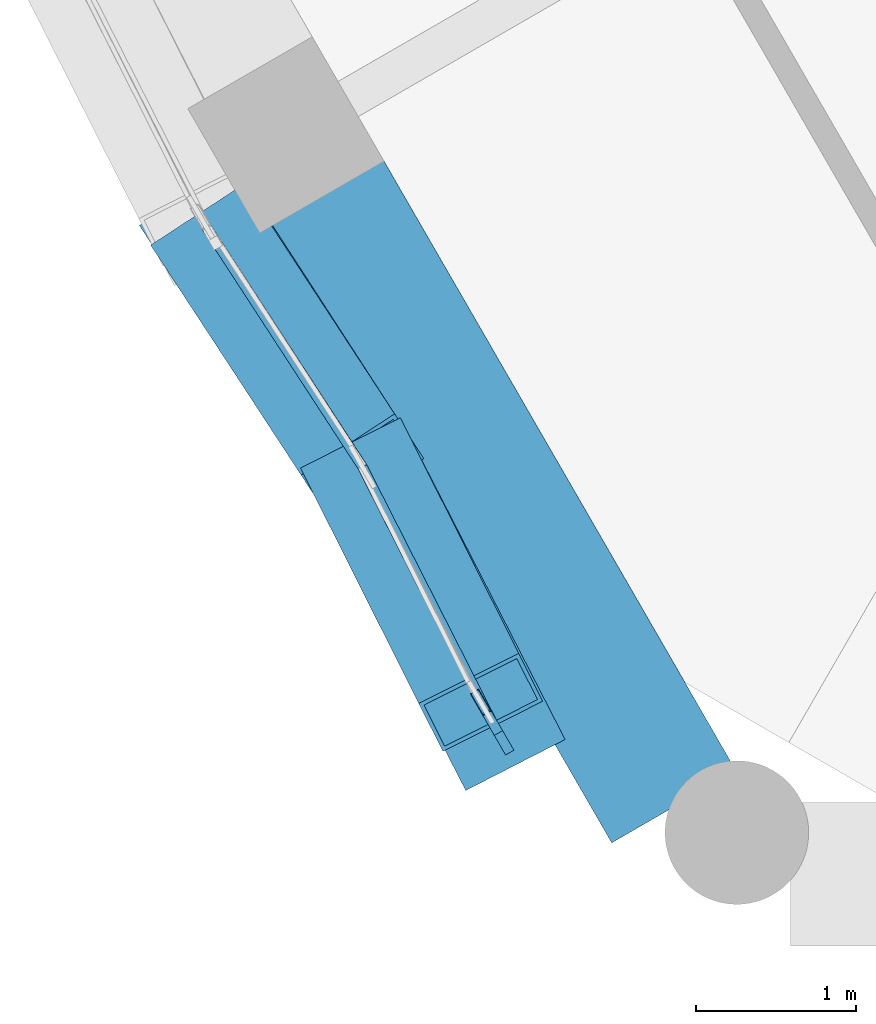
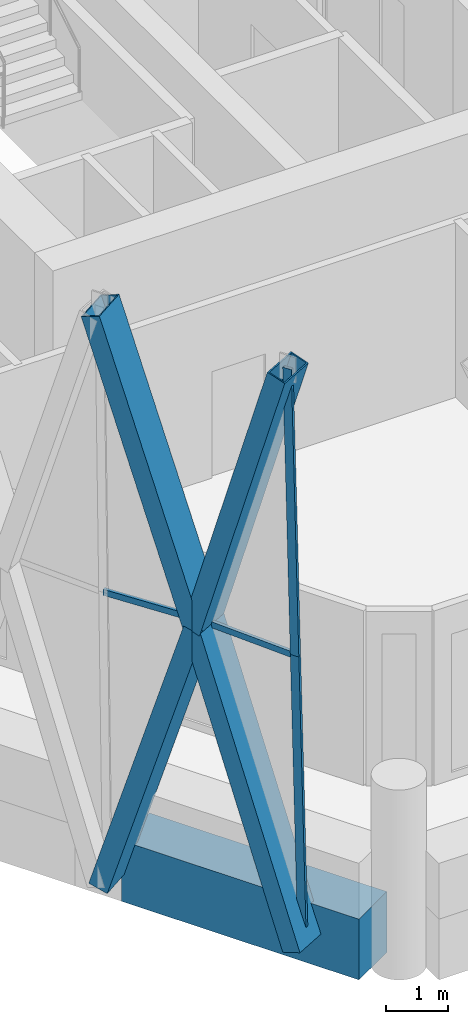
# One storey, part 2 of 21: 8 members, 1 beam, 2 elements without a shape of their own.
"""IFC4 building model written with IfcOpenShell, lengths in metres."""

import ifcopenshell
import ifcopenshell.guid

model = None  # the IFC model being written
_history = None  # IfcOwnerHistory: only IFC2X3 demands one
_inside = {}  # id of a spatial element -> (the spatial element, [elements in it])
_under = {}  # id of a project, library or spatial element -> (it, [spatial elements below it])
_declared = {}  # id of a project -> (the project, [libraries it declares])
_typed = {}  # id of a type object -> (the type object, [elements of that type])
_made_of = {}  # id of a material, layer set ... -> (it, [elements and type objects made of it])


def new_model(schema):
    """Start an empty IFC model of exactly this schema.

    Asked for "IFC4X3", IfcOpenShell would pick the latest addendum, in which some entities
    have other attributes; the version numbers below select the first issue.
    IFC2X3 requires an IfcOwnerHistory on every rooted entity: one is made here for all.
    """
    global model, _history
    if schema == "IFC4X3":
        model = ifcopenshell.file(schema_version=(4, 3, 0, 0))
    else:
        model = ifcopenshell.file(schema=schema)
    _inside.clear()
    _under.clear()
    _declared.clear()
    _typed.clear()
    _made_of.clear()
    _history = None
    if model.schema == "IFC2X3":
        org = make("IfcOrganization", Name="unknown")
        user = make(
            "IfcPersonAndOrganization",
            ThePerson=make("IfcPerson", FamilyName="unknown"),
            TheOrganization=org,
        )
        app = make(
            "IfcApplication",
            ApplicationDeveloper=org,
            Version="unknown",
            ApplicationFullName="unknown",
            ApplicationIdentifier="unknown",
        )
        _history = make(
            "IfcOwnerHistory",
            OwningUser=user,
            OwningApplication=app,
            ChangeAction="ADDED",
            CreationDate=0,
        )
    return model


def make(cls, **values):
    """One entity of the class cls with the attributes given. An attribute that is None is left unset."""
    return model.create_entity(
        cls, **{name: value for name, value in values.items() if value is not None}
    )


def rooted(cls, **values):
    """An entity with a GlobalId (a new one), such as an element, a storey or a relation."""
    return make(cls, GlobalId=ifcopenshell.guid.new(), OwnerHistory=_history, **values)


def si_unit(unit_type, name, prefix=None):
    """IfcSIUnit, for example si_unit("LENGTHUNIT", "METRE", prefix="MILLI")."""
    return make("IfcSIUnit", UnitType=unit_type, Prefix=prefix, Name=name)


def assignment(units):
    """IfcUnitAssignment: the units of a project."""
    return None if units is None else make("IfcUnitAssignment", Units=units)


def point(xyz):
    """IfcCartesianPoint."""
    return None if xyz is None else make("IfcCartesianPoint", Coordinates=xyz)


def direction(xyz):
    """IfcDirection."""
    return None if xyz is None else make("IfcDirection", DirectionRatios=xyz)


def frame(location, z_axis=None, x_axis=None):
    """IfcAxis2Placement3D, a coordinate frame: its origin and axes. An axis left out is left unset."""
    return make(
        "IfcAxis2Placement3D",
        Location=point(location),
        Axis=direction(z_axis),
        RefDirection=direction(x_axis),
    )


def frame_2d(location, x_axis=None):
    """IfcAxis2Placement2D, a coordinate frame in the plane: its origin and x axis."""
    return make(
        "IfcAxis2Placement2D", Location=point(location), RefDirection=direction(x_axis)
    )


def origin():
    """The frame at (0, 0, 0) with its axes left unset."""
    return frame((0.0, 0.0, 0.0))


def origin_2d():
    """The frame at (0, 0) in the plane with its x axis left unset."""
    return frame_2d((0.0, 0.0))


def place(relative_to, where):
    """IfcLocalPlacement: puts the frame where relative to a parent placement (None: the world)."""
    return make(
        "IfcLocalPlacement", PlacementRelTo=relative_to, RelativePlacement=where
    )


def context(
    kind, dimensions, precision=None, world=None, true_north=None, identifier=None
):
    """IfcGeometricRepresentationContext, for example the 3D "Model" context."""
    return make(
        "IfcGeometricRepresentationContext",
        ContextIdentifier=identifier,
        ContextType=kind,
        CoordinateSpaceDimension=dimensions,
        Precision=precision,
        WorldCoordinateSystem=world,
        TrueNorth=true_north,
    )


def subcontext(parent, identifier, kind, view, scale=None):
    """IfcGeometricRepresentationSubContext, for example "Body" below "Model"."""
    return make(
        "IfcGeometricRepresentationSubContext",
        ContextIdentifier=identifier,
        ContextType=kind,
        ParentContext=parent,
        TargetScale=scale,
        TargetView=view,
    )


def project(units=None, contexts=None):
    """IfcProject with its units and contexts."""
    return rooted(
        "IfcProject",
        Name="project",
        RepresentationContexts=contexts,
        UnitsInContext=assignment(units),
    )


def spatial(cls, under=None, at=None, **own):
    """A site, building, storey or space (cls), placed at a placement, below another one or the project."""
    s = rooted(cls, ObjectPlacement=at, **own)
    if under is not None:
        _under.setdefault(under.id(), (under, []))[1].append(s)
    return s


def profile(cls, at=None, kind="AREA", **sizes):
    """A parametric profile (cls). Its sizes go by their IFC names, for example OverallWidth=200.0."""
    return make(cls, ProfileType=kind, Position=at, **sizes)


def rectangle(**sizes):
    """IfcRectangleProfileDef."""
    return profile("IfcRectangleProfileDef", **sizes)


def hollow_rectangle(**sizes):
    """IfcRectangleHollowProfileDef."""
    return profile("IfcRectangleHollowProfileDef", **sizes)


def extrude(swept, where, along, depth):
    """IfcExtrudedAreaSolid: the profile swept, set in the frame where, extruded along a direction by depth."""
    return make(
        "IfcExtrudedAreaSolid",
        SweptArea=swept,
        Position=where,
        ExtrudedDirection=direction(along),
        Depth=depth,
    )


def shape(context_of_items, identifier, shape_type, items):
    """IfcShapeRepresentation: the items that make up one representation, for example the "Body"."""
    return make(
        "IfcShapeRepresentation",
        ContextOfItems=context_of_items,
        RepresentationIdentifier=identifier,
        RepresentationType=shape_type,
        Items=items,
    )


def material(Name=None, Category=None):
    """IfcMaterial."""
    return make("IfcMaterial", Name=Name, Category=Category)


def material_profile(
    of_material, cross_section, Name=None, Category=None, Priority=None
):
    """IfcMaterialProfile: a cross section and its material."""
    return make(
        "IfcMaterialProfile",
        Name=Name,
        Material=of_material,
        Profile=cross_section,
        Priority=Priority,
        Category=Category,
    )


def profile_set(profiles, Name=None, composite=None):
    """IfcMaterialProfileSet."""
    return make(
        "IfcMaterialProfileSet",
        Name=Name,
        MaterialProfiles=profiles,
        CompositeProfile=composite,
    )


def made_of(thing, what):
    """Note that an element or type object is made of a material, layer set ...; save() writes the relation."""
    if what is not None:
        _made_of.setdefault(what.id(), (what, []))[1].append(thing)
    return thing


def type_object(cls, material=None, **own):
    """A type object (cls), such as IfcWallType, which elements share."""
    return made_of(rooted(cls, **own), material)


def element(
    cls,
    number,
    at=None,
    inside=None,
    cuts=None,
    type_object=None,
    material=None,
    context=None,
    identifier="Body",
    shape_type=None,
    held_by="IfcProductDefinitionShape",
    body=None,
    shapes=None,
    **own,
):
    """One element of the class cls, such as IfcWall. Its Tag is "e" and its number.

    at: its placement. inside: the storey or other place that contains it. cuts: it is an
    opening in that element (IfcRelVoidsElement). A single representation is given by context,
    identifier, shape_type and body (its items); several are given by shapes. held_by: the class
    of the entity that holds the representations. save() writes the other relations.
    """
    e = rooted(cls, Tag="e%d" % number, ObjectPlacement=at, **own)
    if body is not None:
        shapes = [shape(context, identifier, shape_type, body)]
    if shapes is not None:
        e.Representation = make(held_by, Representations=shapes)
    if inside is not None:
        _inside.setdefault(inside.id(), (inside, []))[1].append(e)
    if cuts is not None:
        rooted(
            "IfcRelVoidsElement", RelatingBuildingElement=cuts, RelatedOpeningElement=e
        )
    if type_object is not None:
        _typed.setdefault(type_object.id(), (type_object, []))[1].append(e)
    return made_of(e, material)


def aggregate(whole, parts):
    """IfcRelAggregates: a whole, such as a stair, and the parts it consists of."""
    return rooted("IfcRelAggregates", RelatingObject=whole, RelatedObjects=parts)


def save(model, path):
    """Write the relations noted so far, then the file.

    IfcRelAggregates (storeys below a building ...), IfcRelContainedInSpatialStructure (elements
    in a storey), IfcRelDefinesByType, IfcRelAssociatesMaterial and IfcRelDeclares: one each for
    every whole, place, type object, material and project.
    """
    for whole, parts in _under.values():
        aggregate(whole, parts)
    for where, things in _inside.values():
        rooted(
            "IfcRelContainedInSpatialStructure",
            RelatedElements=things,
            RelatingStructure=where,
        )
    for kind, things in _typed.values():
        rooted("IfcRelDefinesByType", RelatedObjects=things, RelatingType=kind)
    for what, things in _made_of.values():
        rooted("IfcRelAssociatesMaterial", RelatedObjects=things, RelatingMaterial=what)
    for by, libraries in _declared.values():
        rooted("IfcRelDeclares", RelatingContext=by, RelatedDefinitions=libraries)
    model.write(path)


model = new_model("IFC4")

# Units and contexts
model_context = context("Model", 3, precision=1e-05, world=origin(), true_north=direction((0.0, 1.0)))
body_context = subcontext(model_context, "Body", "Model", "MODEL_VIEW")
ifc_project = project(units=[si_unit("LENGTHUNIT", "METRE"), si_unit("AREAUNIT", "SQUARE_METRE"), si_unit("VOLUMEUNIT", "CUBIC_METRE"), si_unit("PLANEANGLEUNIT", "RADIAN"), si_unit("MASSUNIT", "GRAM", prefix="KILO")], contexts=[model_context])

# Site, building, storey
site_placement = place(None, origin())
site = spatial("IfcSite", under=ifc_project, at=site_placement, CompositionType="ELEMENT")
building_placement = place(site_placement, origin())
building = spatial("IfcBuilding", under=site, at=building_placement, Name="Ostrander Bayou Hotel Tower", CompositionType="ELEMENT")
storey_placement = place(building_placement, frame((0.0, 0.0, 256.25)))
storey = spatial("IfcBuildingStorey", under=building, at=storey_placement, Name="L63", CompositionType="ELEMENT", Elevation=256.25)

# Curtain wall, members
ifc_material_1 = material(Name="Aluminium and clear glass", Category="aluminium")
curtain_wall_type = type_object("IfcCurtainWallType", Name="CW-LAT lattice glazing", PredefinedType="NOTDEFINED", material=ifc_material_1)
curtain_wall_1_placement = place(storey_placement, origin())
curtain_wall_1 = element("IfcCurtainWall", 1, at=curtain_wall_1_placement, inside=storey, type_object=curtain_wall_type, Name="CW-LAT L63 SW 1", PredefinedType="NOTDEFINED")
ifc_material_2 = material(Name="Aluminium", Category="aluminium")
ifc_material_profile_1 = material_profile(ifc_material_2, hollow_rectangle(XDim=0.06005859375, YDim=0.159912109375, WallThickness=0.00390625, at=origin_2d()))
ifc_profile_set_1 = profile_set([ifc_material_profile_1], Name="Aluminium")
member_type_1 = type_object("IfcMemberType", Name="CW-LA mullion 60 x 160 mm", PredefinedType="MULLION", material=ifc_profile_set_1)
member_1_placement = place(storey_placement, frame((-11.56591796875, -15.107421875, -0.60009765625), z_axis=(-0.012582822759, 0.021781300087, 0.999683573706), x_axis=(-0.865898279276, -0.500220121494, 0.0)))
member_1 = element("IfcMember", 2, at=member_1_placement, type_object=member_type_1, Name="CW-LAT mullion 16", PredefinedType="MULLION", context=body_context, shape_type="SweptSolid", body=[
    extrude(hollow_rectangle(XDim=0.06005859375, YDim=0.159912109375, WallThickness=0.00390625, at=origin_2d()), origin(), (0.0, 0.0, 1.0), 5.626708984375),
])
member_2_placement = place(storey_placement, frame((-11.63671875, -14.98486328125, 5.02490234375), z_axis=(-0.012582810856, 0.021824668484, 0.999682627996), x_axis=(-0.866328918095, -0.499473928922, 0.0)))
member_2 = element("IfcMember", 3, at=member_2_placement, type_object=member_type_1, Name="CW-LAT mullion 17", PredefinedType="MULLION", context=body_context, shape_type="SweptSolid", body=[
    extrude(hollow_rectangle(XDim=0.06005859375, YDim=0.159912109375, WallThickness=0.00390625, at=origin_2d()), origin(), (0.0, 0.0, 1.0), 5.626708984375),
])
aggregate(curtain_wall_1, [member_1, member_2])

curtain_wall_2_placement = place(storey_placement, origin())
curtain_wall_2 = element("IfcCurtainWall", 4, at=curtain_wall_2_placement, inside=storey, type_object=curtain_wall_type, Name="CW-LAT L63 SW 2", PredefinedType="NOTDEFINED")
ifc_material_3 = material(Name="Aluminium", Category="aluminium")
ifc_material_profile_2 = material_profile(ifc_material_3, hollow_rectangle(XDim=0.06005859375, YDim=0.1201171875, WallThickness=0.00390625, at=origin_2d()))
ifc_profile_set_2 = profile_set([ifc_material_profile_2], Name="Aluminium")
member_type_2 = type_object("IfcMemberType", Name="CW-LA transom 60 x 120 mm", PredefinedType="USERDEFINED", material=ifc_profile_set_2)
member_3_placement = place(storey_placement, frame((-13.42626953125, -11.885009765625, 5.02490234375), z_axis=(0.545486267621, -0.838119759841, 0.0), x_axis=(0.838119759841, 0.545486267621, 0.0)))
member_3 = element("IfcMember", 5, at=member_3_placement, type_object=member_type_2, Name="CW-LAT transom 15", ObjectType="TRANSOM", PredefinedType="USERDEFINED", context=body_context, shape_type="SweptSolid", body=[
    extrude(hollow_rectangle(XDim=0.06005859375, YDim=0.1201171875, WallThickness=0.00390625, at=origin_2d()), origin(), (0.0, 0.0, 1.0), 1.7919921875),
])
member_4_placement = place(storey_placement, frame((-11.63671875, -14.98486328125, 5.02490234375), z_axis=(-0.453033876418, 0.891493301611, 0.0), x_axis=(-0.891493301611, -0.453033876418, 0.0)))
member_4 = element("IfcMember", 6, at=member_4_placement, type_object=member_type_2, Name="CW-LAT transom 18", ObjectType="TRANSOM", PredefinedType="USERDEFINED", context=body_context, shape_type="SweptSolid", body=[
    extrude(hollow_rectangle(XDim=0.06005859375, YDim=0.1201171875, WallThickness=0.00390625, at=origin_2d()), origin(), (0.0, 0.0, 1.0), 1.79248046875),
])
aggregate(curtain_wall_2, [member_3, member_4])

# Members
ifc_material_4 = material(Name="Steel ASTM A572 Gr 50", Category="steel")
ifc_material_profile_3 = material_profile(ifc_material_4, hollow_rectangle(XDim=0.699951171875, YDim=0.35009765625, WallThickness=0.02490234375, at=origin_2d()))
ifc_profile_set_3 = profile_set([ifc_material_profile_3], Name="Steel ASTM A572 Gr 50")
member_type_3 = type_object("IfcMemberType", Name="LT1 lattice member box 700 x 350 x 25 mm", PredefinedType="BRACE", material=ifc_profile_set_3)
member_5_placement = place(storey_placement, frame((-12.44873046875, -13.386962890625, 5.02490234375), z_axis=(-0.160159604697, 0.244908480776, -0.956226300134), x_axis=(-0.836927136533, -0.547314322976, 0.0)))
element("IfcMember", 7, at=member_5_placement, inside=storey, type_object=member_type_3, Name="LT1 L63 SW 13", PredefinedType="BRACE", context=body_context, shape_type="SweptSolid", body=[
    extrude(hollow_rectangle(XDim=0.699951171875, YDim=0.35009765625, WallThickness=0.02490234375, at=origin_2d()), origin(), (0.0, 0.0, 1.0), 5.882568359375),
])
member_6_placement = place(storey_placement, frame((-12.44873046875, -13.386962890625, 5.02490234375), z_axis=(-0.170986839235, 0.263855353846, 0.949285970114), x_axis=(-0.839197287019, -0.543827098865, 0.0)))
element("IfcMember", 8, at=member_6_placement, inside=storey, type_object=member_type_3, Name="LT1 L63 SW 14", PredefinedType="BRACE", context=body_context, shape_type="SweptSolid", body=[
    extrude(hollow_rectangle(XDim=0.699951171875, YDim=0.35009765625, WallThickness=0.02490234375, at=origin_2d()), origin(), (0.0, 0.0, 1.0), 5.925537109375),
])
member_7_placement = place(storey_placement, frame((-12.44873046875, -13.386962890625, 5.02490234375), z_axis=(0.148419099614, -0.289244854807, -0.945679218783), x_axis=(0.889707022632, 0.456531941796, 0.0)))
element("IfcMember", 9, at=member_7_placement, inside=storey, type_object=member_type_3, Name="LT1 L63 SW 15", PredefinedType="BRACE", context=body_context, shape_type="SweptSolid", body=[
    extrude(hollow_rectangle(XDim=0.699951171875, YDim=0.35009765625, WallThickness=0.02490234375, at=origin_2d()), origin(), (0.0, 0.0, 1.0), 5.947998046875),
])
member_8_placement = place(storey_placement, frame((-12.44873046875, -13.386962890625, 5.02490234375), z_axis=(0.126438040785, -0.251626693816, 0.959529795682), x_axis=(0.893538103617, 0.448987368848, 0.0)))
element("IfcMember", 10, at=member_8_placement, inside=storey, type_object=member_type_3, Name="LT1 L63 SW 16", PredefinedType="BRACE", context=body_context, shape_type="SweptSolid", body=[
    extrude(hollow_rectangle(XDim=0.699951171875, YDim=0.35009765625, WallThickness=0.02490234375, at=origin_2d()), origin(), (0.0, 0.0, 1.0), 5.8623046875),
])

# Beam
ifc_material_5 = material(Name="Concrete f'c 60 MPa", Category="concrete")
ifc_material_profile_4 = material_profile(ifc_material_5, rectangle(XDim=0.89990234375, YDim=1.199951171875, at=origin_2d()))
ifc_profile_set_4 = profile_set([ifc_material_profile_4], Name="Concrete f'c 60 MPa")
beam_type = type_object("IfcBeamType", Name="SP4 spandrel beam 900 x 1200 mm f'c 60 MPa", PredefinedType="SPANDREL", material=ifc_profile_set_4)
beam_placement = place(storey_placement, frame((-12.7177734375, -11.672119140625, -0.60009765625), z_axis=(0.500012810012, -0.866018007794, 0.0), x_axis=(0.866018007794, 0.500012810012, 0.0)))
element("IfcBeam", 11, at=beam_placement, inside=storey, type_object=beam_type, Name="SP4 L63 SW-3", PredefinedType="SPANDREL", context=body_context, shape_type="SweptSolid", body=[
    extrude(rectangle(XDim=0.89990234375, YDim=1.199951171875, at=origin_2d()), origin(), (0.0, 0.0, 1.0), 4.43994140625),
])

save(model, "model.ifc")
